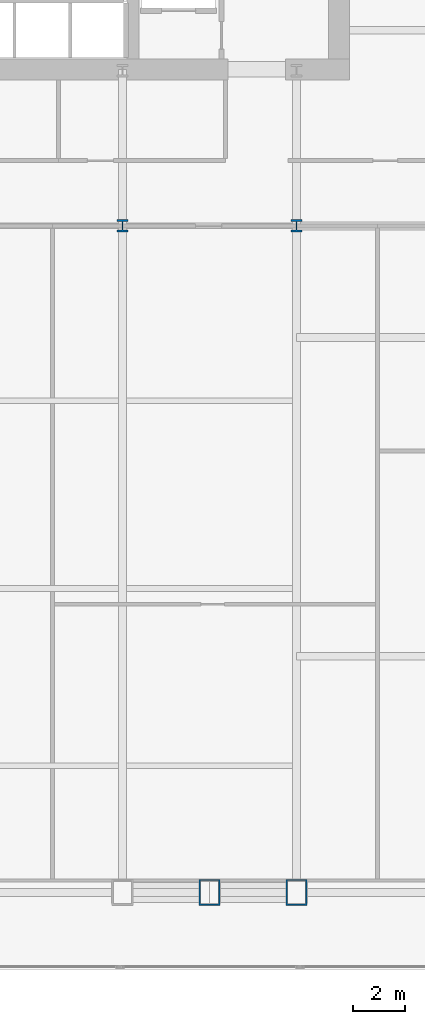
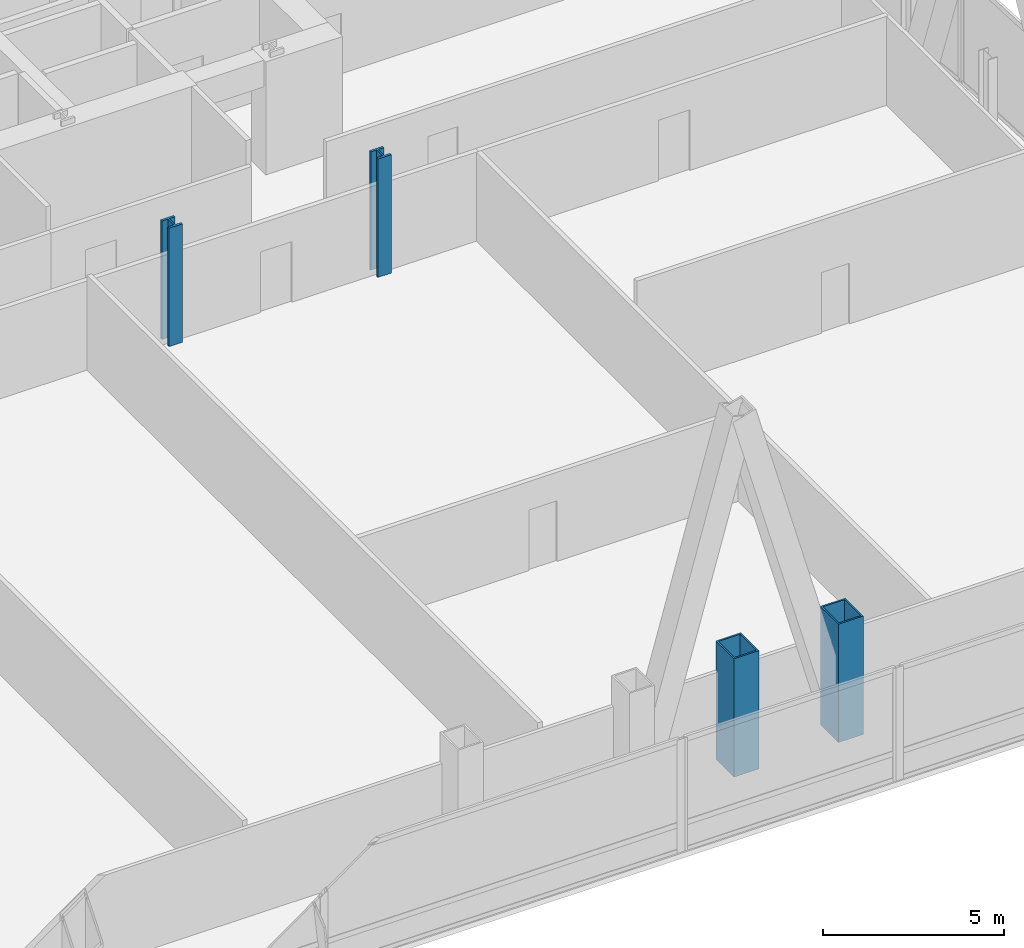
# One storey, part 2 of 35: 4 columns.
"""IFC4 building model written with IfcOpenShell, lengths in metres."""

from ifc_helpers import new_model, si_unit, direction, frame, origin, origin_2d, place, context, subcontext, project, spatial, hollow_rectangle, i_section, extrude, material, material_profile, profile_set, type_object, element, save


model = new_model("IFC4")

# Units and contexts
model_context = context("Model", 3, precision=1e-05, world=origin(), true_north=direction((0.0, 1.0)))
body_context = subcontext(model_context, "Body", "Model", "MODEL_VIEW")
ifc_project = project(units=[si_unit("LENGTHUNIT", "METRE"), si_unit("AREAUNIT", "SQUARE_METRE"), si_unit("VOLUMEUNIT", "CUBIC_METRE"), si_unit("PLANEANGLEUNIT", "RADIAN"), si_unit("MASSUNIT", "GRAM", prefix="KILO")], contexts=[model_context])

# Site, building, storey
site_placement = place(None, origin())
site = spatial("IfcSite", under=ifc_project, at=site_placement, CompositionType="ELEMENT")
building_placement = place(site_placement, origin())
building = spatial("IfcBuilding", under=site, at=building_placement, Name="Khoronbel Lancet Exchange", CompositionType="ELEMENT")
storey_placement = place(building_placement, frame((0.0, 0.0, 37.800048828125)))
storey = spatial("IfcBuildingStorey", under=building, at=storey_placement, Name="L08", CompositionType="ELEMENT", Elevation=37.800048828125)

# Columns
ifc_material = material(Name="Steel S460", Category="steel")
ifc_material_profile_1 = material_profile(ifc_material, hollow_rectangle(XDim=0.800048828125, YDim=1.0, WallThickness=0.054931640625, at=origin_2d()), Name="BOX 1000x800x55")
ifc_profile_set_1 = profile_set([ifc_material_profile_1], Name="Steel S460")
column_type_1 = type_object("IfcColumnType", Name="COL-EC1", PredefinedType="COLUMN", material=ifc_profile_set_1)
for number, where, z_axis, x_axis, name in (
    (1, (51.33740234375, 10.14990234375, 0.0), (0.0, 0.0, 1.0), (1.0, 0.0, 0.0), "Structural column SC-EM L08"),
    (2, (54.675048828125, 10.14990234375, 0.0), (0.0, 0.0, 1.0), (1.0, 0.0, 0.0), "Structural column SC-E2 L08"),
):
    element("IfcColumn", number, at=place(storey_placement, frame(where, z_axis=z_axis, x_axis=x_axis)), inside=storey, type_object=column_type_1, Name=name, PredefinedType="COLUMN", context=body_context, shape_type="SweptSolid", body=[
        extrude(hollow_rectangle(XDim=0.800048828125, YDim=1.0, WallThickness=0.054931640625, at=origin_2d()), origin(), (0.0, 0.0, 1.0), 4.0),
    ])
ifc_material_profile_2 = material_profile(ifc_material, i_section(OverallWidth=0.424072265625, OverallDepth=0.47412109375, WebThickness=0.047607421875, FlangeThickness=0.076904296875, at=origin_2d()), Name="HD 400x634")
ifc_profile_set_2 = profile_set([ifc_material_profile_2], Name="Steel S460")
column_type_2 = type_object("IfcColumnType", Name="COL-IC1", PredefinedType="COLUMN", material=ifc_profile_set_2)
for number, where, z_axis, x_axis, name in (
    (3, (48.0, 35.699951171875, 0.0), (0.0, 0.0, 1.0), (1.0, 0.0, 0.0), "Spine gravity column TC3 L08"),
    (4, (54.675048828125, 35.699951171875, 0.0), (0.0, 0.0, 1.0), (1.0, 0.0, 0.0), "Spine gravity column TC4 L08"),
):
    element("IfcColumn", number, at=place(storey_placement, frame(where, z_axis=z_axis, x_axis=x_axis)), inside=storey, type_object=column_type_2, Name=name, PredefinedType="COLUMN", context=body_context, shape_type="SweptSolid", body=[
        extrude(i_section(OverallWidth=0.424072265625, OverallDepth=0.47412109375, WebThickness=0.047607421875, FlangeThickness=0.076904296875, at=origin_2d()), origin(), (0.0, 0.0, 1.0), 4.0),
    ])

save(model, "model.ifc")
